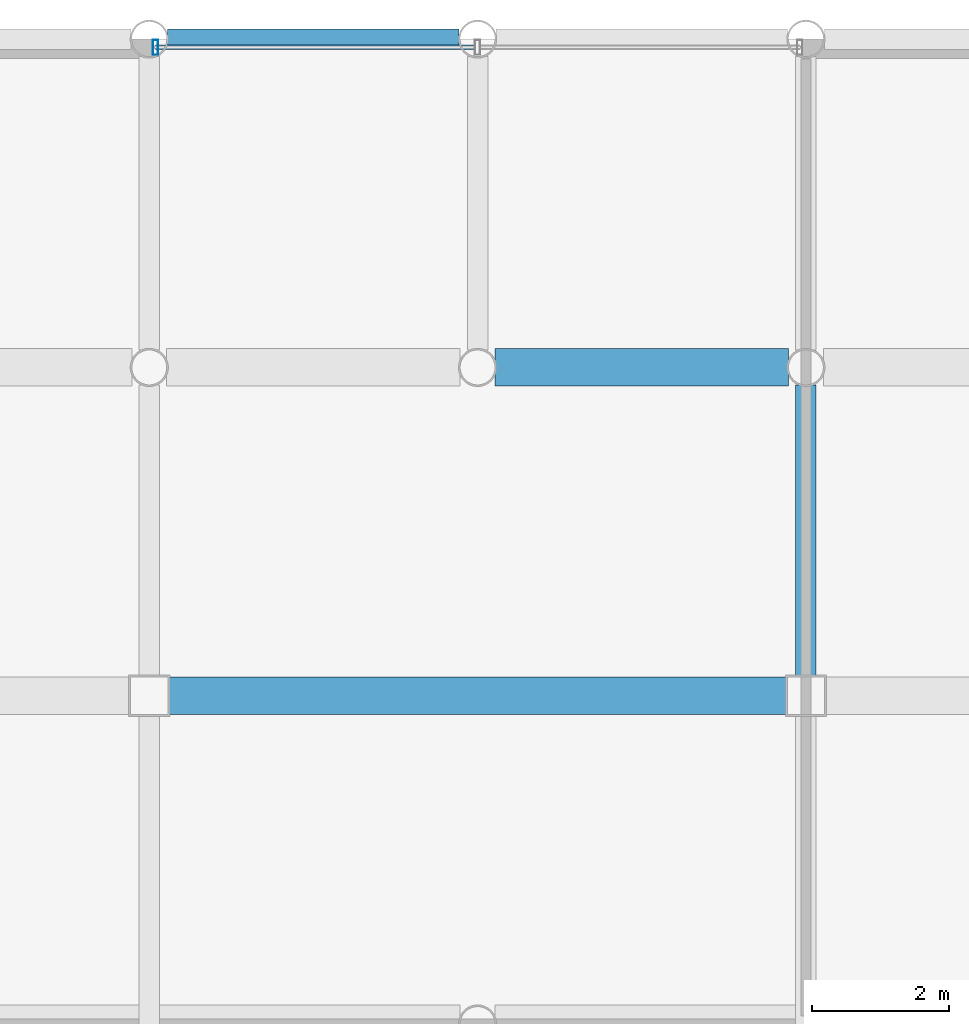
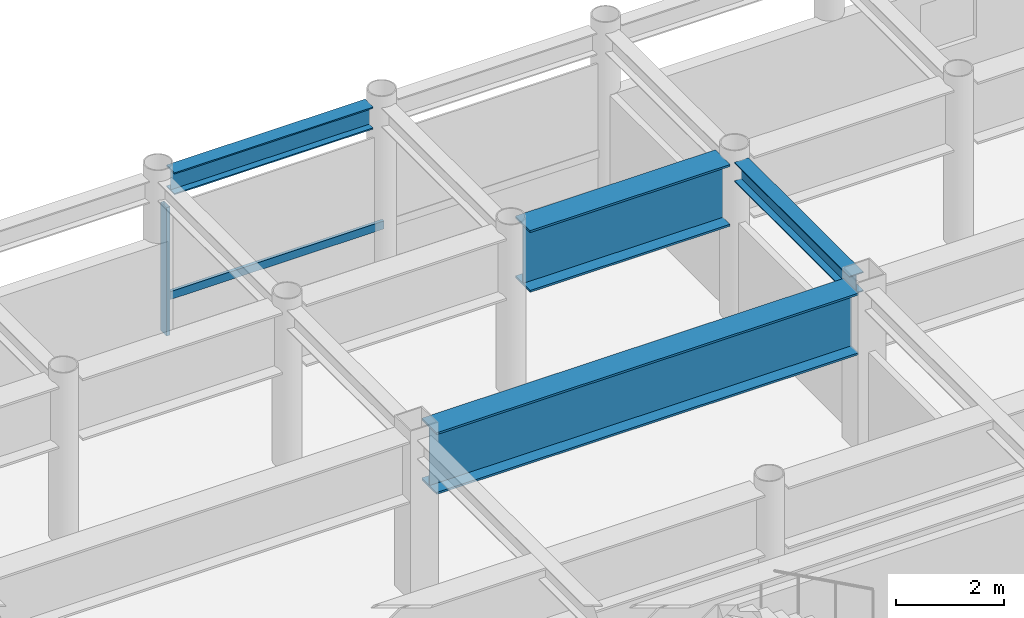
# One storey, part 14 of 21: 4 beams, 2 members, 1 element without a shape of its own.
"""IFC4 building model written with IfcOpenShell, lengths in metres."""

from ifc_helpers import new_model, si_unit, direction, frame, origin, origin_2d, place, context, subcontext, project, spatial, hollow_rectangle, i_section, extrude, material, layer, layer_set, material_profile, profile_set, type_object, element, aggregate, save


model = new_model("IFC4")

# Units and contexts
model_context = context("Model", 3, precision=1e-05, world=origin(), true_north=direction((0.0, 1.0)))
body_context = subcontext(model_context, "Body", "Model", "MODEL_VIEW")
ifc_project = project(units=[si_unit("LENGTHUNIT", "METRE"), si_unit("AREAUNIT", "SQUARE_METRE"), si_unit("VOLUMEUNIT", "CUBIC_METRE"), si_unit("PLANEANGLEUNIT", "RADIAN"), si_unit("MASSUNIT", "GRAM", prefix="KILO")], contexts=[model_context])

# Site, building, storey
site_placement = place(None, origin())
site = spatial("IfcSite", under=ifc_project, at=site_placement, CompositionType="ELEMENT")
building_placement = place(site_placement, origin())
building = spatial("IfcBuilding", under=site, at=building_placement, Name="Kallvorn Hotel Tower", CompositionType="ELEMENT")
storey_placement = place(building_placement, frame((0.0, 0.0, 272.35009765625)))
storey = spatial("IfcBuildingStorey", under=building, at=storey_placement, Name="L68", CompositionType="ELEMENT", Elevation=272.35009765625)

# Beams
ifc_material_1 = material(Name="Structural steel S355JR", Category="steel")
ifc_material_profile_1 = material_profile(ifc_material_1, i_section(OverallWidth=0.300048828125, OverallDepth=0.43994140625, WebThickness=0.011474609375, FlangeThickness=0.02099609375, at=origin_2d()), Name="HE 450 A")
ifc_profile_set_1 = profile_set([ifc_material_profile_1], Name="Structural steel S355JR")
beam_type_1 = type_object("IfcBeamType", Name="BM_HE450A", PredefinedType="BEAM", material=ifc_profile_set_1)
beam_1_placement = place(storey_placement, frame((4.800048828125, 14.675048828125, 3.3798828125), z_axis=(0.0, 1.0, 0.0), x_axis=(-1.0, 0.0, 0.0)))
element("IfcBeam", 1, at=beam_1_placement, inside=storey, type_object=beam_type_1, Name="L69 Primary Y-Girder 117", PredefinedType="BEAM", context=body_context, shape_type="SweptSolid", body=[
    extrude(i_section(OverallWidth=0.300048828125, OverallDepth=0.43994140625, WebThickness=0.011474609375, FlangeThickness=0.02099609375, at=origin_2d()), origin(), (0.0, 0.0, 1.0), 4.2705078125),
])
ifc_material_2 = material(Name="Structural steel S355JR", Category="steel")
ifc_material_profile_2 = material_profile(ifc_material_2, i_section(OverallWidth=0.300048828125, OverallDepth=0.5, WebThickness=0.014404296875, FlangeThickness=0.028076171875, at=origin_2d()), Name="HE 500 B")
ifc_profile_set_2 = profile_set([ifc_material_profile_2], Name="Structural steel S355JR")
beam_type_2 = type_object("IfcBeamType", Name="BM_HE500B", PredefinedType="SPANDREL", material=ifc_profile_set_2)
beam_2_placement = place(storey_placement, frame((-4.530517578125, 24.0, 3.349853515625), z_axis=(1.0, 0.0, 0.0), x_axis=(0.0, 1.0, 0.0)))
element("IfcBeam", 2, at=beam_2_placement, inside=storey, type_object=beam_type_2, Name="L69 Perimeter Spandrel 168", PredefinedType="SPANDREL", context=body_context, shape_type="SweptSolid", body=[
    extrude(i_section(OverallWidth=0.300048828125, OverallDepth=0.5, WebThickness=0.014404296875, FlangeThickness=0.028076171875, at=origin_2d()), origin(), (0.0, 0.0, 1.0), 4.260986328125),
])
ifc_material_3 = material(Name="Structural steel S355JR", Category="steel")
ifc_material_profile_3 = material_profile(ifc_material_3, i_section(OverallWidth=0.550048828125, OverallDepth=1.39990234375, WebThickness=0.02490234375, FlangeThickness=0.044921875, at=origin_2d()), Name="PG 1400x550x25x45")
ifc_profile_set_3 = profile_set([ifc_material_profile_3], Name="Structural steel S355JR")
beam_type_3 = type_object("IfcBeamType", Name="BM_PG_1400", PredefinedType="BEAM", material=ifc_profile_set_3)
beam_3_placement = place(storey_placement, frame((-4.52490234375, 14.39990234375, 2.89990234375), z_axis=(1.0, 0.0, 0.0), x_axis=(0.0, 1.0, 0.0)))
element("IfcBeam", 3, at=beam_3_placement, inside=storey, type_object=beam_type_3, Name="L69 Primary X-Girder 55", PredefinedType="BEAM", context=body_context, shape_type="SweptSolid", body=[
    extrude(i_section(OverallWidth=0.550048828125, OverallDepth=1.39990234375, WebThickness=0.02490234375, FlangeThickness=0.044921875, at=origin_2d()), origin(), (0.0, 0.0, 1.0), 9.0498046875),
])
beam_4_placement = place(storey_placement, frame((0.25439453125, 19.199951171875, 2.89990234375), z_axis=(1.0, 0.0, 0.0), x_axis=(0.0, 1.0, 0.0)))
element("IfcBeam", 4, at=beam_4_placement, inside=storey, type_object=beam_type_3, Name="L69 Primary X-Girder 67", PredefinedType="BEAM", context=body_context, shape_type="SweptSolid", body=[
    extrude(i_section(OverallWidth=0.550048828125, OverallDepth=1.39990234375, WebThickness=0.02490234375, FlangeThickness=0.044921875, at=origin_2d()), origin(), (0.0, 0.0, 1.0), 4.291015625),
])

# Curtain wall, members
ifc_material_4 = material(Name="Thermally broken black-anodised aluminium AA 6063-T6", Category="aluminium")
ifc_layer = layer(ifc_material_4, 0.22998046875)
ifc_layer_set = layer_set([ifc_layer], Name="CW_SYS_5_HOTEL_HIGH")
curtain_wall_type = type_object("IfcCurtainWallType", Name="CW_SYS_5_HOTEL_HIGH", PredefinedType="USERDEFINED", material=ifc_layer_set)
curtain_wall_placement = place(storey_placement, origin())
curtain_wall = element("IfcCurtainWall", 5, at=curtain_wall_placement, inside=storey, type_object=curtain_wall_type, Name="L68 Dark-Glass Curtain Wall CW-L68-NC", ObjectType="UNITISED CURTAIN WALL", PredefinedType="USERDEFINED")
ifc_material_5 = material(Name="Thermally broken black-anodised aluminium AA 6063-T6", Category="aluminium")
ifc_material_profile_4 = material_profile(ifc_material_5, hollow_rectangle(XDim=0.080078125, YDim=0.219970703125, WallThickness=0.0048828125, at=origin_2d()), Name="MUL 220x80")
ifc_profile_set_4 = profile_set([ifc_material_profile_4], Name="Thermally broken black-anodised aluminium AA 6063-T6")
member_type_1 = type_object("IfcMemberType", Name="CW_MULLION_220x80", PredefinedType="MULLION", material=ifc_profile_set_4)
member_1_placement = place(storey_placement, frame((-4.7099609375, 23.8798828125, 0.02001953125), z_axis=(0.0, 0.0, 1.0), x_axis=(1.0, 0.0, 0.0)))
member_1 = element("IfcMember", 6, at=member_1_placement, type_object=member_type_1, Name="CW-L68-NC Mullion 00", PredefinedType="MULLION", context=body_context, shape_type="SweptSolid", body=[
    extrude(hollow_rectangle(XDim=0.080078125, YDim=0.219970703125, WallThickness=0.0048828125, at=origin_2d()), origin(), (0.0, 0.0, 1.0), 2.909912109375),
])
ifc_material_6 = material(Name="Thermally broken black-anodised aluminium AA 6063-T6", Category="aluminium")
ifc_material_profile_5 = material_profile(ifc_material_6, hollow_rectangle(XDim=0.070068359375, YDim=0.179931640625, WallThickness=0.00390625, at=origin_2d()), Name="TRN 180x70")
ifc_profile_set_5 = profile_set([ifc_material_profile_5], Name="Thermally broken black-anodised aluminium AA 6063-T6")
member_type_2 = type_object("IfcMemberType", Name="CW_TRANSOM_180x70", PredefinedType="USERDEFINED", material=ifc_profile_set_5)
member_2_placement = place(storey_placement, frame((-4.7099609375, 23.8798828125, 0.849853515625), z_axis=(1.0, 0.0, 0.0), x_axis=(0.0, 1.0, 0.0)))
member_2 = element("IfcMember", 7, at=member_2_placement, type_object=member_type_2, Name="CW-L68-NC Transom 00M", ObjectType="TRANSOM", PredefinedType="USERDEFINED", context=body_context, shape_type="SweptSolid", body=[
    extrude(hollow_rectangle(XDim=0.070068359375, YDim=0.179931640625, WallThickness=0.00390625, at=origin_2d()), origin(), (0.0, 0.0, 1.0), 4.669921875),
])
aggregate(curtain_wall, [member_1, member_2])

save(model, "model.ifc")
